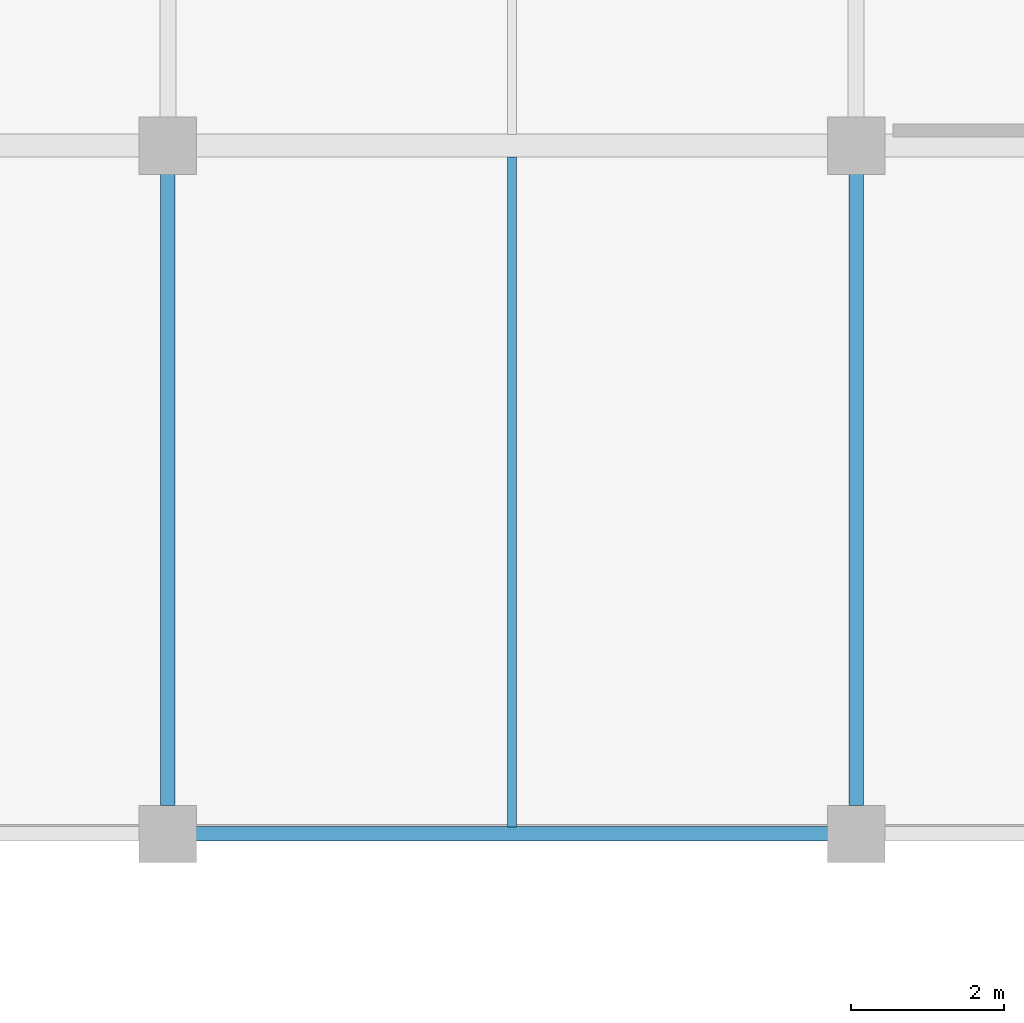
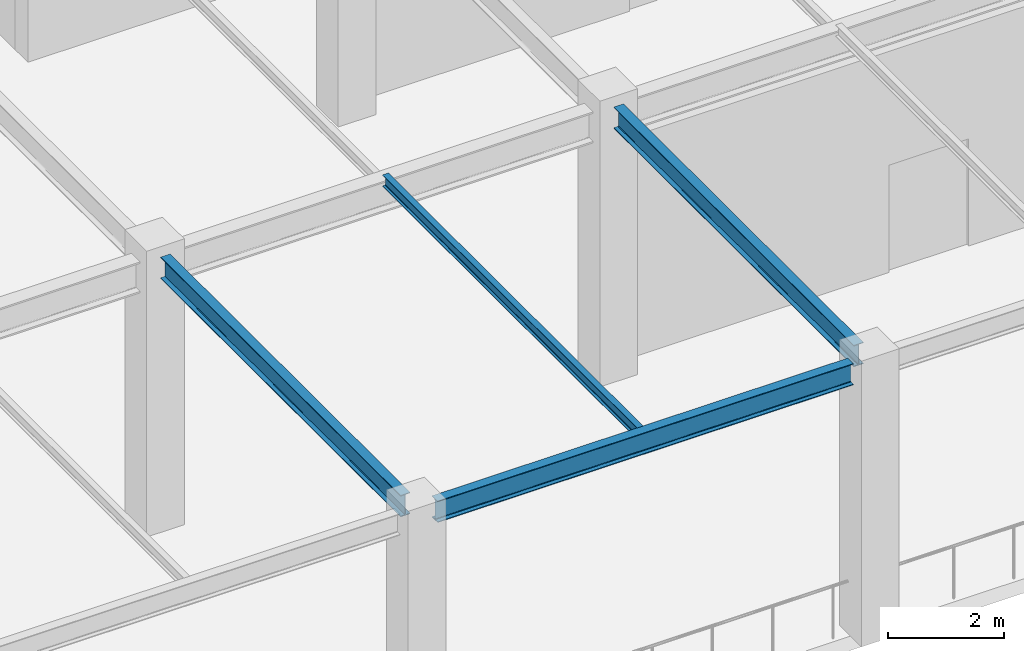
# One storey, part 9 of 223: 4 beams.
"""IFC4 building model written with IfcOpenShell, lengths in metres."""

from ifc_helpers import new_model, si_unit, direction, frame, origin, origin_2d, place, context, subcontext, project, spatial, i_section, extrude, material, material_profile, profile_set, type_object, element, save


model = new_model("IFC4")

# Units and contexts
model_context = context("Model", 3, precision=1e-05, world=origin(), true_north=direction((0.0, 1.0)))
body_context = subcontext(model_context, "Body", "Model", "MODEL_VIEW")
ifc_project = project(units=[si_unit("LENGTHUNIT", "METRE"), si_unit("AREAUNIT", "SQUARE_METRE"), si_unit("VOLUMEUNIT", "CUBIC_METRE"), si_unit("PLANEANGLEUNIT", "RADIAN"), si_unit("MASSUNIT", "GRAM", prefix="KILO")], contexts=[model_context])

# Site, building, storey
site_placement = place(None, origin())
site = spatial("IfcSite", under=ifc_project, at=site_placement, CompositionType="ELEMENT")
building_placement = place(site_placement, origin())
building = spatial("IfcBuilding", under=site, at=building_placement, Name="Dornveld Trade and Exhibition Forum", CompositionType="ELEMENT")
storey_placement = place(building_placement, frame((0.0, 0.0, 6.0)))
storey = spatial("IfcBuildingStorey", under=building, at=storey_placement, Name="L01", CompositionType="ELEMENT", Elevation=6.0)

# Beams
ifc_material_1 = material(Name="Steel S355J2", Category="steel")
ifc_material_profile_1 = material_profile(ifc_material_1, i_section(OverallWidth=0.1201171875, OverallDepth=0.239990234375, WebThickness=0.006103515625, FlangeThickness=0.009765625, FilletRadius=0.014892578125, at=origin_2d()), Name="IPE 240")
ifc_profile_set_1 = profile_set([ifc_material_profile_1], Name="Steel S355J2")
beam_type_1 = type_object("IfcBeamType", Name="BM-JOIST-240", PredefinedType="JOIST", material=ifc_profile_set_1)
beam_placement = place(storey_placement, frame((103.5, 27.092041015625, 5.659912109375), z_axis=(0.0, 1.0, 0.0), x_axis=(-1.0, 0.0, 0.0)))
element("IfcBeam", 1, at=beam_placement, inside=storey, type_object=beam_type_1, Name="L01 secondary joist 1730", PredefinedType="JOIST", context=body_context, shape_type="SweptSolid", body=[
    extrude(i_section(OverallWidth=0.1201171875, OverallDepth=0.239990234375, WebThickness=0.006103515625, FlangeThickness=0.009765625, FilletRadius=0.014892578125, at=origin_2d()), origin(), (0.0, 0.0, 1.0), 8.760986328125),
])
ifc_material_2 = material(Name="Steel S355J2", Category="steel")
ifc_material_profile_2 = material_profile(ifc_material_2, i_section(OverallWidth=0.18994140625, OverallDepth=0.449951171875, WebThickness=0.009521484375, FlangeThickness=0.0146484375, FilletRadius=0.02099609375, at=origin_2d()), Name="IPE 450")
ifc_profile_set_2 = profile_set([ifc_material_profile_2], Name="Steel S355J2")
beam_type_2 = type_object("IfcBeamType", Name="BM-SEC-450", PredefinedType="BEAM", material=ifc_profile_set_2)
for number, where, z_axis, x_axis, name in (
    (2, (99.37109375, 27.0, 5.554931640625), (1.0, 0.0, 0.0), (0.0, 1.0, 0.0), "L01 X-girder 1708"),
    (3, (99.0, 27.37109375, 5.554931640625), (0.0, 1.0, 0.0), (-1.0, 0.0, 0.0), "L01 Y-girder 1722"),
    (4, (108.0, 27.37109375, 5.554931640625), (0.0, 1.0, 0.0), (-1.0, 0.0, 0.0), "L01 Y-girder 1723"),
):
    element("IfcBeam", number, at=place(storey_placement, frame(where, z_axis=z_axis, x_axis=x_axis)), inside=storey, type_object=beam_type_2, Name=name, PredefinedType="BEAM", context=body_context, shape_type="SweptSolid", body=[
        extrude(i_section(OverallWidth=0.18994140625, OverallDepth=0.449951171875, WebThickness=0.009521484375, FlangeThickness=0.0146484375, FilletRadius=0.02099609375, at=origin_2d()), origin(), (0.0, 0.0, 1.0), 8.2578125),
    ])

save(model, "model.ifc")
